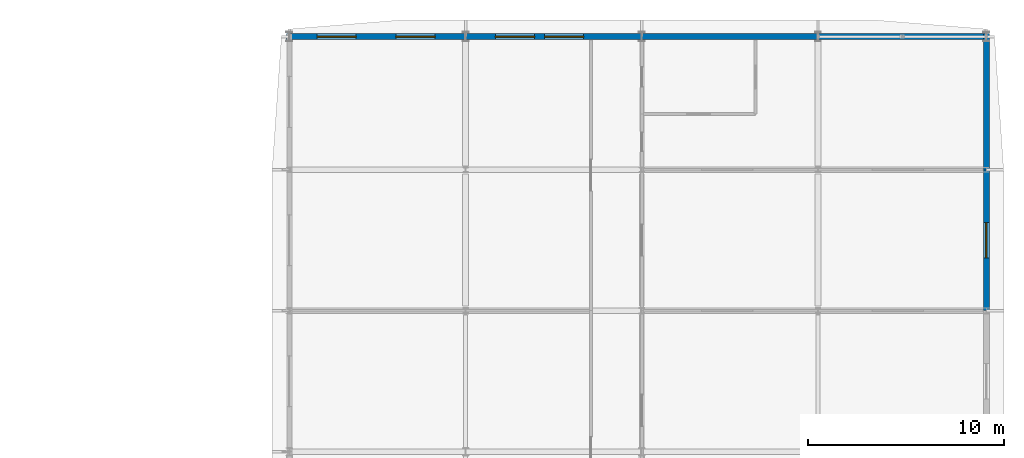
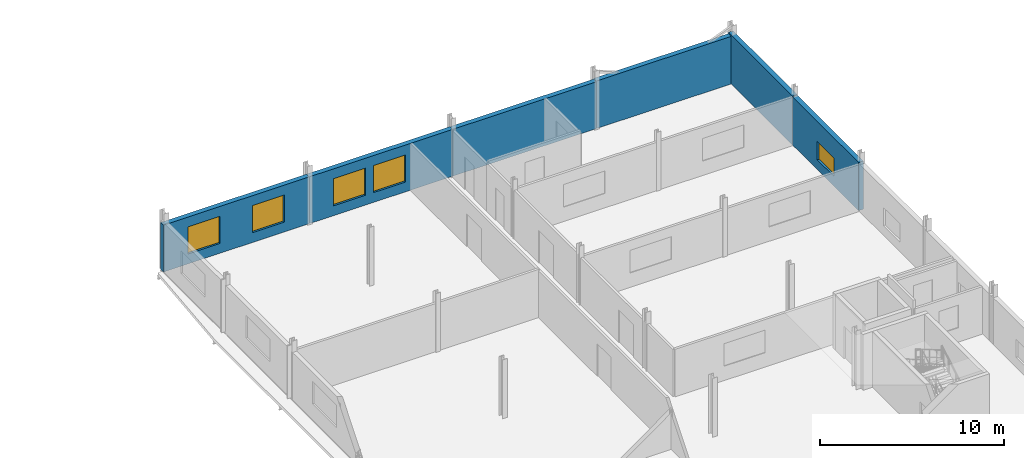
# One storey, part 68 of 78: 6 walls, 5 windows, 5 openings.
"""IFC4 building model written with IfcOpenShell, lengths in metres."""

from ifc_helpers import new_model, si_unit, direction, frame, frame_2d, origin, place, context, subcontext, project, spatial, rectangle, extrude, material, layer, layer_set, type_object, element, fill, save


model = new_model("IFC4")

# Units and contexts
model_context = context("Model", 3, precision=1e-05, world=origin(), true_north=direction((0.0, 1.0)))
body_context = subcontext(model_context, "Body", "Model", "MODEL_VIEW")
ifc_project = project(units=[si_unit("LENGTHUNIT", "METRE"), si_unit("AREAUNIT", "SQUARE_METRE"), si_unit("VOLUMEUNIT", "CUBIC_METRE"), si_unit("PLANEANGLEUNIT", "RADIAN"), si_unit("MASSUNIT", "GRAM", prefix="KILO")], contexts=[model_context])

# Site, building, storey
site_placement = place(None, origin())
site = spatial("IfcSite", under=ifc_project, at=site_placement, CompositionType="ELEMENT")
building_placement = place(site_placement, origin())
building = spatial("IfcBuilding", under=site, at=building_placement, Name="Vinh Khe Railworks Police Headquarters", CompositionType="ELEMENT")
storey_placement = place(building_placement, frame((0.0, 0.0, 13.199951171875)))
storey = spatial("IfcBuildingStorey", under=building, at=storey_placement, Name="L03", CompositionType="ELEMENT", Elevation=13.199951171875)

# Wall, opening, window
ifc_material_1 = material(Name="Clay brickwork", Category="masonry")
ifc_layer = layer(ifc_material_1, 0.300048828125)
ifc_layer_set = layer_set([ifc_layer], Name="Clay brickwork")
wall_type = type_object("IfcWallType", Name="EW-BRK-300", PredefinedType="SOLIDWALL", material=ifc_layer_set)
wall_1_placement = place(storey_placement, frame((113.60009765625, 152.39990234375, 0.0), z_axis=(0.0, 0.0, 1.0), x_axis=(0.0, 1.0, 0.0)))
wall_1 = element("IfcWall", 1, at=wall_1_placement, inside=storey, type_object=wall_type, Name="Exterior Brick Wall EW-L03-V6E-05", PredefinedType="SOLIDWALL", context=body_context, shape_type="SweptSolid", body=[
    extrude(rectangle(XDim=7.2001953125, YDim=0.300048828125, at=frame_2d((3.60009765625, 0.0))), origin(), (0.0, 0.0, 1.0), 3.195068359375),
])
opening_1_placement = place(wall_1_placement, frame((2.699951171875, 0.0, 0.64990234375)))
opening_1 = element("IfcOpeningElement", 2, at=opening_1_placement, cuts=wall_1, Name="Opening WN-08", PredefinedType="OPENING", context=body_context, shape_type="SweptSolid", body=[
    extrude(rectangle(XDim=1.800048828125, YDim=1.199951171875, at=frame_2d((0.89990234375, 0.60009765625))), frame((0.0, 0.1650390625, 0.0), z_axis=(0.0, -1.0, 0.0), x_axis=(1.0, 0.0, 0.0)), (0.0, 0.0, 1.0), 0.329833984375),
])
ifc_material_2 = material(Name="Double-glazed solar-control glass in dark steel frame", Category="steel")
window_type_1 = type_object("IfcWindowType", Name="WIN-WN-08", PartitioningType="SINGLE_PANEL", PredefinedType="WINDOW", material=ifc_material_2)
window_1_placement = place(opening_1_placement, origin())
window_1 = element("IfcWindow", 3, at=window_1_placement, inside=storey, type_object=window_type_1, Name="Casement Window WN-08", OverallHeight=1.199951171875, OverallWidth=1.800048828125, PartitioningType="SINGLE_PANEL", PredefinedType="WINDOW", context=body_context, shape_type="SweptSolid", body=[
    extrude(rectangle(XDim=1.800048828125, YDim=1.199951171875, at=frame_2d((0.89990234375, 0.60009765625))), frame((0.0, 0.030029296875, 0.0), z_axis=(0.0, -1.0, 0.0), x_axis=(1.0, 0.0, 0.0)), (0.0, 0.0, 1.0), 0.06005859375),
])
fill(opening_1, window_1)

# Wall
wall_2_placement = place(storey_placement, frame((113.60009765625, 159.60009765625, 0.0), z_axis=(0.0, 0.0, 1.0), x_axis=(0.0, 1.0, 0.0)))
element("IfcWall", 4, at=wall_2_placement, inside=storey, type_object=wall_type, Name="Exterior Brick Wall EW-L03-V6E-06", PredefinedType="SOLIDWALL", context=body_context, shape_type="SweptSolid", body=[
    extrude(rectangle(XDim=6.949951171875, YDim=0.300048828125, at=frame_2d((3.47509765625, 0.0))), origin(), (0.0, 0.0, 1.0), 3.2451171875),
])

# Wall, openings, windows
wall_3_placement = place(storey_placement, frame((77.85009765625, 166.39990234375, 0.0), z_axis=(0.0, 0.0, 1.0), x_axis=(1.0, 0.0, 0.0)))
wall_3 = element("IfcWall", 5, at=wall_3_placement, inside=storey, type_object=wall_type, Name="Exterior Brick Wall EW-L03-V6N-01", PredefinedType="SOLIDWALL", context=body_context, shape_type="SweptSolid", body=[
    extrude(rectangle(XDim=9.14990234375, YDim=0.300048828125, at=frame_2d((4.574951171875, 0.0))), origin(), (0.0, 0.0, 1.0), 3.10498046875),
])
opening_2_placement = place(wall_3_placement, frame((1.56201171875, 0.0, 0.64990234375)))
opening_2 = element("IfcOpeningElement", 6, at=opening_2_placement, cuts=wall_3, Name="Opening WN-04", PredefinedType="OPENING", context=body_context, shape_type="SweptSolid", body=[
    extrude(rectangle(XDim=2.0, YDim=1.800048828125, at=frame_2d((1.0, 0.89990234375))), frame((0.0, 0.1650390625, 0.0), z_axis=(0.0, -1.0, 0.0), x_axis=(1.0, 0.0, 0.0)), (0.0, 0.0, 1.0), 0.329833984375),
])
opening_3_placement = place(wall_3_placement, frame((5.587890625, 0.0, 0.64990234375)))
opening_3 = element("IfcOpeningElement", 7, at=opening_3_placement, cuts=wall_3, Name="Opening WN-04", PredefinedType="OPENING", context=body_context, shape_type="SweptSolid", body=[
    extrude(rectangle(XDim=2.0, YDim=1.800048828125, at=frame_2d((1.0, 0.89990234375))), frame((0.0, 0.1650390625, 0.0), z_axis=(0.0, -1.0, 0.0), x_axis=(1.0, 0.0, 0.0)), (0.0, 0.0, 1.0), 0.329833984375),
])
window_type_2 = type_object("IfcWindowType", Name="WIN-WN-04", PartitioningType="DOUBLE_PANEL_VERTICAL", PredefinedType="WINDOW", material=ifc_material_2)
window_2_placement = place(opening_2_placement, origin())
window_2 = element("IfcWindow", 8, at=window_2_placement, inside=storey, type_object=window_type_2, Name="Casement Window WN-04", OverallHeight=1.800048828125, OverallWidth=2.0, PartitioningType="SINGLE_PANEL", PredefinedType="WINDOW", context=body_context, shape_type="SweptSolid", body=[
    extrude(rectangle(XDim=2.0, YDim=1.800048828125, at=frame_2d((1.0, 0.89990234375))), frame((0.0, 0.030029296875, 0.0), z_axis=(0.0, -1.0, 0.0), x_axis=(1.0, 0.0, 0.0)), (0.0, 0.0, 1.0), 0.06005859375),
])
fill(opening_2, window_2)
window_3_placement = place(opening_3_placement, origin())
window_3 = element("IfcWindow", 9, at=window_3_placement, inside=storey, type_object=window_type_2, Name="Casement Window WN-04", OverallHeight=1.800048828125, OverallWidth=2.0, PartitioningType="SINGLE_PANEL", PredefinedType="WINDOW", context=body_context, shape_type="SweptSolid", body=[
    extrude(rectangle(XDim=2.0, YDim=1.800048828125, at=frame_2d((1.0, 0.89990234375))), frame((0.0, 0.030029296875, 0.0), z_axis=(0.0, -1.0, 0.0), x_axis=(1.0, 0.0, 0.0)), (0.0, 0.0, 1.0), 0.06005859375),
])
fill(opening_3, window_3)

wall_4_placement = place(storey_placement, frame((87.0, 166.39990234375, 0.0), z_axis=(0.0, 0.0, 1.0), x_axis=(1.0, 0.0, 0.0)))
wall_4 = element("IfcWall", 10, at=wall_4_placement, inside=storey, type_object=wall_type, Name="Exterior Brick Wall EW-L03-V6N-02", PredefinedType="SOLIDWALL", context=body_context, shape_type="SweptSolid", body=[
    extrude(rectangle(XDim=9.0, YDim=0.300048828125, at=frame_2d((4.5, 0.0))), origin(), (0.0, 0.0, 1.0), 3.10498046875),
])
opening_4_placement = place(wall_4_placement, frame((1.52001953125, 0.0, 0.64990234375)))
opening_4 = element("IfcOpeningElement", 11, at=opening_4_placement, cuts=wall_4, Name="Opening WN-04", PredefinedType="OPENING", context=body_context, shape_type="SweptSolid", body=[
    extrude(rectangle(XDim=2.0, YDim=1.800048828125, at=frame_2d((1.0, 0.89990234375))), frame((0.0, 0.1650390625, 0.0), z_axis=(0.0, -1.0, 0.0), x_axis=(1.0, 0.0, 0.0)), (0.0, 0.0, 1.0), 0.329833984375),
])
opening_5_placement = place(wall_4_placement, frame((4.030029296875, 0.0, 0.64990234375)))
opening_5 = element("IfcOpeningElement", 12, at=opening_5_placement, cuts=wall_4, Name="Opening WN-04", PredefinedType="OPENING", context=body_context, shape_type="SweptSolid", body=[
    extrude(rectangle(XDim=2.0, YDim=1.800048828125, at=frame_2d((1.0, 0.89990234375))), frame((0.0, 0.1650390625, 0.0), z_axis=(0.0, -1.0, 0.0), x_axis=(1.0, 0.0, 0.0)), (0.0, 0.0, 1.0), 0.329833984375),
])
window_4_placement = place(opening_4_placement, origin())
window_4 = element("IfcWindow", 13, at=window_4_placement, inside=storey, type_object=window_type_2, Name="Casement Window WN-04", OverallHeight=1.800048828125, OverallWidth=2.0, PartitioningType="SINGLE_PANEL", PredefinedType="WINDOW", context=body_context, shape_type="SweptSolid", body=[
    extrude(rectangle(XDim=2.0, YDim=1.800048828125, at=frame_2d((1.0, 0.89990234375))), frame((0.0, 0.030029296875, 0.0), z_axis=(0.0, -1.0, 0.0), x_axis=(1.0, 0.0, 0.0)), (0.0, 0.0, 1.0), 0.06005859375),
])
fill(opening_4, window_4)
window_5_placement = place(opening_5_placement, origin())
window_5 = element("IfcWindow", 14, at=window_5_placement, inside=storey, type_object=window_type_2, Name="Casement Window WN-04", OverallHeight=1.800048828125, OverallWidth=2.0, PartitioningType="SINGLE_PANEL", PredefinedType="WINDOW", context=body_context, shape_type="SweptSolid", body=[
    extrude(rectangle(XDim=2.0, YDim=1.800048828125, at=frame_2d((1.0, 0.89990234375))), frame((0.0, 0.030029296875, 0.0), z_axis=(0.0, -1.0, 0.0), x_axis=(1.0, 0.0, 0.0)), (0.0, 0.0, 1.0), 0.06005859375),
])
fill(opening_5, window_5)

# Walls
wall_5_placement = place(storey_placement, frame((96.0, 166.39990234375, 0.0), z_axis=(0.0, 0.0, 1.0), x_axis=(1.0, 0.0, 0.0)))
element("IfcWall", 15, at=wall_5_placement, inside=storey, type_object=wall_type, Name="Exterior Brick Wall EW-L03-V6N-03", PredefinedType="SOLIDWALL", context=body_context, shape_type="SweptSolid", body=[
    extrude(rectangle(XDim=9.0, YDim=0.300048828125, at=frame_2d((4.5, 0.0))), origin(), (0.0, 0.0, 1.0), 3.10498046875),
])
wall_6_placement = place(storey_placement, frame((105.0, 166.39990234375, 0.0), z_axis=(0.0, 0.0, 1.0), x_axis=(1.0, 0.0, 0.0)))
element("IfcWall", 16, at=wall_6_placement, inside=storey, type_object=wall_type, Name="Exterior Brick Wall EW-L03-V6N-04", PredefinedType="SOLIDWALL", context=body_context, shape_type="SweptSolid", body=[
    extrude(rectangle(XDim=8.75, YDim=0.300048828125, at=frame_2d((4.375, 0.0))), origin(), (0.0, 0.0, 1.0), 3.155029296875),
])

save(model, "model.ifc")
